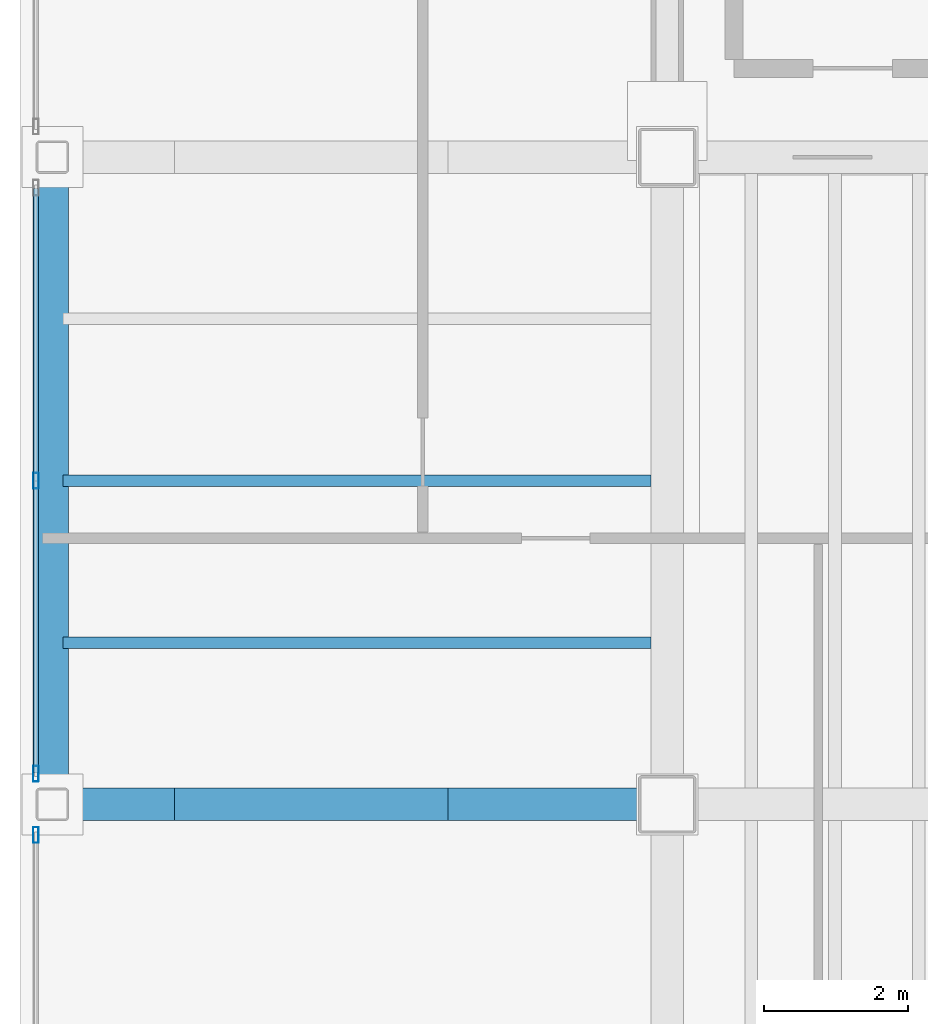
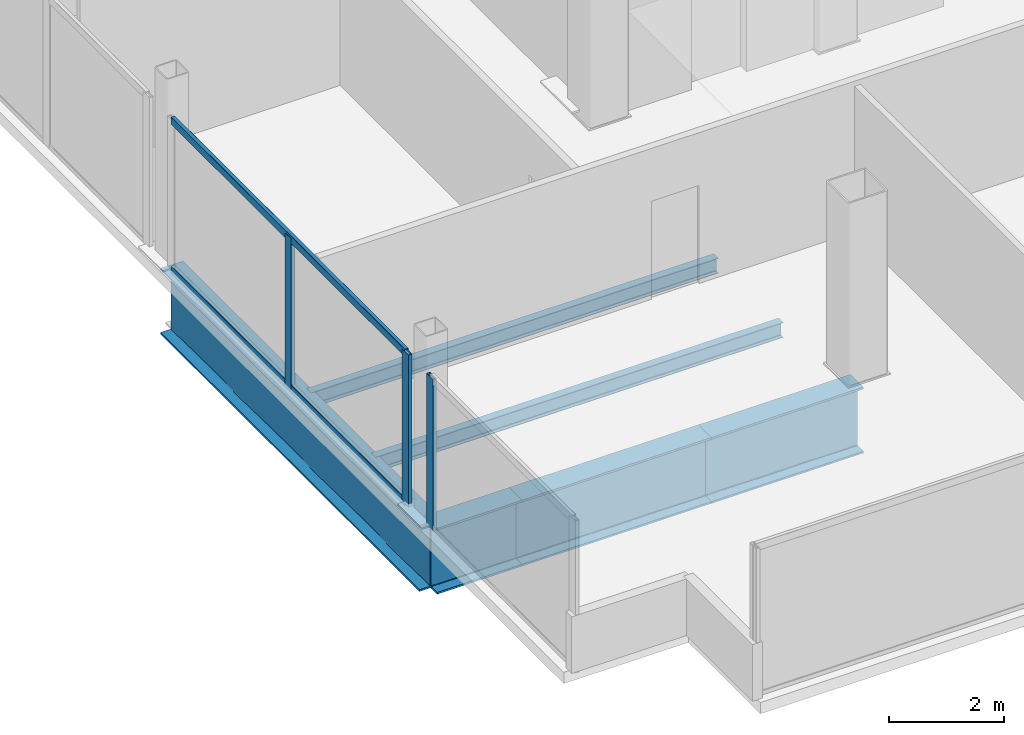
# One storey, part 4 of 22: 6 beams, 5 members, 2 elements without a shape of their own.
"""IFC4 building model written with IfcOpenShell, lengths in metres."""

import ifcopenshell
import ifcopenshell.guid

model = None  # the IFC model being written
_history = None  # IfcOwnerHistory: only IFC2X3 demands one
_inside = {}  # id of a spatial element -> (the spatial element, [elements in it])
_under = {}  # id of a project, library or spatial element -> (it, [spatial elements below it])
_declared = {}  # id of a project -> (the project, [libraries it declares])
_typed = {}  # id of a type object -> (the type object, [elements of that type])
_made_of = {}  # id of a material, layer set ... -> (it, [elements and type objects made of it])


def new_model(schema):
    """Start an empty IFC model of exactly this schema.

    Asked for "IFC4X3", IfcOpenShell would pick the latest addendum, in which some entities
    have other attributes; the version numbers below select the first issue.
    IFC2X3 requires an IfcOwnerHistory on every rooted entity: one is made here for all.
    """
    global model, _history
    if schema == "IFC4X3":
        model = ifcopenshell.file(schema_version=(4, 3, 0, 0))
    else:
        model = ifcopenshell.file(schema=schema)
    _inside.clear()
    _under.clear()
    _declared.clear()
    _typed.clear()
    _made_of.clear()
    _history = None
    if model.schema == "IFC2X3":
        org = make("IfcOrganization", Name="unknown")
        user = make(
            "IfcPersonAndOrganization",
            ThePerson=make("IfcPerson", FamilyName="unknown"),
            TheOrganization=org,
        )
        app = make(
            "IfcApplication",
            ApplicationDeveloper=org,
            Version="unknown",
            ApplicationFullName="unknown",
            ApplicationIdentifier="unknown",
        )
        _history = make(
            "IfcOwnerHistory",
            OwningUser=user,
            OwningApplication=app,
            ChangeAction="ADDED",
            CreationDate=0,
        )
    return model


def make(cls, **values):
    """One entity of the class cls with the attributes given. An attribute that is None is left unset."""
    return model.create_entity(
        cls, **{name: value for name, value in values.items() if value is not None}
    )


def rooted(cls, **values):
    """An entity with a GlobalId (a new one), such as an element, a storey or a relation."""
    return make(cls, GlobalId=ifcopenshell.guid.new(), OwnerHistory=_history, **values)


def si_unit(unit_type, name, prefix=None):
    """IfcSIUnit, for example si_unit("LENGTHUNIT", "METRE", prefix="MILLI")."""
    return make("IfcSIUnit", UnitType=unit_type, Prefix=prefix, Name=name)


def assignment(units):
    """IfcUnitAssignment: the units of a project."""
    return None if units is None else make("IfcUnitAssignment", Units=units)


def point(xyz):
    """IfcCartesianPoint."""
    return None if xyz is None else make("IfcCartesianPoint", Coordinates=xyz)


def direction(xyz):
    """IfcDirection."""
    return None if xyz is None else make("IfcDirection", DirectionRatios=xyz)


def frame(location, z_axis=None, x_axis=None):
    """IfcAxis2Placement3D, a coordinate frame: its origin and axes. An axis left out is left unset."""
    return make(
        "IfcAxis2Placement3D",
        Location=point(location),
        Axis=direction(z_axis),
        RefDirection=direction(x_axis),
    )


def frame_2d(location, x_axis=None):
    """IfcAxis2Placement2D, a coordinate frame in the plane: its origin and x axis."""
    return make(
        "IfcAxis2Placement2D", Location=point(location), RefDirection=direction(x_axis)
    )


def origin():
    """The frame at (0, 0, 0) with its axes left unset."""
    return frame((0.0, 0.0, 0.0))


def origin_2d():
    """The frame at (0, 0) in the plane with its x axis left unset."""
    return frame_2d((0.0, 0.0))


def place(relative_to, where):
    """IfcLocalPlacement: puts the frame where relative to a parent placement (None: the world)."""
    return make(
        "IfcLocalPlacement", PlacementRelTo=relative_to, RelativePlacement=where
    )


def context(
    kind, dimensions, precision=None, world=None, true_north=None, identifier=None
):
    """IfcGeometricRepresentationContext, for example the 3D "Model" context."""
    return make(
        "IfcGeometricRepresentationContext",
        ContextIdentifier=identifier,
        ContextType=kind,
        CoordinateSpaceDimension=dimensions,
        Precision=precision,
        WorldCoordinateSystem=world,
        TrueNorth=true_north,
    )


def subcontext(parent, identifier, kind, view, scale=None):
    """IfcGeometricRepresentationSubContext, for example "Body" below "Model"."""
    return make(
        "IfcGeometricRepresentationSubContext",
        ContextIdentifier=identifier,
        ContextType=kind,
        ParentContext=parent,
        TargetScale=scale,
        TargetView=view,
    )


def project(units=None, contexts=None):
    """IfcProject with its units and contexts."""
    return rooted(
        "IfcProject",
        Name="project",
        RepresentationContexts=contexts,
        UnitsInContext=assignment(units),
    )


def spatial(cls, under=None, at=None, **own):
    """A site, building, storey or space (cls), placed at a placement, below another one or the project."""
    s = rooted(cls, ObjectPlacement=at, **own)
    if under is not None:
        _under.setdefault(under.id(), (under, []))[1].append(s)
    return s


def profile(cls, at=None, kind="AREA", **sizes):
    """A parametric profile (cls). Its sizes go by their IFC names, for example OverallWidth=200.0."""
    return make(cls, ProfileType=kind, Position=at, **sizes)


def hollow_rectangle(**sizes):
    """IfcRectangleHollowProfileDef."""
    return profile("IfcRectangleHollowProfileDef", **sizes)


def i_section(**sizes):
    """IfcIShapeProfileDef."""
    return profile("IfcIShapeProfileDef", **sizes)


def extrude(swept, where, along, depth):
    """IfcExtrudedAreaSolid: the profile swept, set in the frame where, extruded along a direction by depth."""
    return make(
        "IfcExtrudedAreaSolid",
        SweptArea=swept,
        Position=where,
        ExtrudedDirection=direction(along),
        Depth=depth,
    )


def shape(context_of_items, identifier, shape_type, items):
    """IfcShapeRepresentation: the items that make up one representation, for example the "Body"."""
    return make(
        "IfcShapeRepresentation",
        ContextOfItems=context_of_items,
        RepresentationIdentifier=identifier,
        RepresentationType=shape_type,
        Items=items,
    )


def material(Name=None, Category=None):
    """IfcMaterial."""
    return make("IfcMaterial", Name=Name, Category=Category)


def material_profile(
    of_material, cross_section, Name=None, Category=None, Priority=None
):
    """IfcMaterialProfile: a cross section and its material."""
    return make(
        "IfcMaterialProfile",
        Name=Name,
        Material=of_material,
        Profile=cross_section,
        Priority=Priority,
        Category=Category,
    )


def profile_set(profiles, Name=None, composite=None):
    """IfcMaterialProfileSet."""
    return make(
        "IfcMaterialProfileSet",
        Name=Name,
        MaterialProfiles=profiles,
        CompositeProfile=composite,
    )


def made_of(thing, what):
    """Note that an element or type object is made of a material, layer set ...; save() writes the relation."""
    if what is not None:
        _made_of.setdefault(what.id(), (what, []))[1].append(thing)
    return thing


def type_object(cls, material=None, **own):
    """A type object (cls), such as IfcWallType, which elements share."""
    return made_of(rooted(cls, **own), material)


def element(
    cls,
    number,
    at=None,
    inside=None,
    cuts=None,
    type_object=None,
    material=None,
    context=None,
    identifier="Body",
    shape_type=None,
    held_by="IfcProductDefinitionShape",
    body=None,
    shapes=None,
    **own,
):
    """One element of the class cls, such as IfcWall. Its Tag is "e" and its number.

    at: its placement. inside: the storey or other place that contains it. cuts: it is an
    opening in that element (IfcRelVoidsElement). A single representation is given by context,
    identifier, shape_type and body (its items); several are given by shapes. held_by: the class
    of the entity that holds the representations. save() writes the other relations.
    """
    e = rooted(cls, Tag="e%d" % number, ObjectPlacement=at, **own)
    if body is not None:
        shapes = [shape(context, identifier, shape_type, body)]
    if shapes is not None:
        e.Representation = make(held_by, Representations=shapes)
    if inside is not None:
        _inside.setdefault(inside.id(), (inside, []))[1].append(e)
    if cuts is not None:
        rooted(
            "IfcRelVoidsElement", RelatingBuildingElement=cuts, RelatedOpeningElement=e
        )
    if type_object is not None:
        _typed.setdefault(type_object.id(), (type_object, []))[1].append(e)
    return made_of(e, material)


def aggregate(whole, parts):
    """IfcRelAggregates: a whole, such as a stair, and the parts it consists of."""
    return rooted("IfcRelAggregates", RelatingObject=whole, RelatedObjects=parts)


def save(model, path):
    """Write the relations noted so far, then the file.

    IfcRelAggregates (storeys below a building ...), IfcRelContainedInSpatialStructure (elements
    in a storey), IfcRelDefinesByType, IfcRelAssociatesMaterial and IfcRelDeclares: one each for
    every whole, place, type object, material and project.
    """
    for whole, parts in _under.values():
        aggregate(whole, parts)
    for where, things in _inside.values():
        rooted(
            "IfcRelContainedInSpatialStructure",
            RelatedElements=things,
            RelatingStructure=where,
        )
    for kind, things in _typed.values():
        rooted("IfcRelDefinesByType", RelatedObjects=things, RelatingType=kind)
    for what, things in _made_of.values():
        rooted("IfcRelAssociatesMaterial", RelatedObjects=things, RelatingMaterial=what)
    for by, libraries in _declared.values():
        rooted("IfcRelDeclares", RelatingContext=by, RelatedDefinitions=libraries)
    model.write(path)


model = new_model("IFC4")

# Units and contexts
model_context = context("Model", 3, precision=1e-05, world=origin(), true_north=direction((0.0, 1.0)))
body_context = subcontext(model_context, "Body", "Model", "MODEL_VIEW")
ifc_project = project(units=[si_unit("LENGTHUNIT", "METRE"), si_unit("AREAUNIT", "SQUARE_METRE"), si_unit("VOLUMEUNIT", "CUBIC_METRE"), si_unit("PLANEANGLEUNIT", "RADIAN"), si_unit("MASSUNIT", "GRAM", prefix="KILO")], contexts=[model_context])

# Site, building, storey
site_placement = place(None, origin())
site = spatial("IfcSite", under=ifc_project, at=site_placement, CompositionType="ELEMENT")
building_placement = place(site_placement, origin())
building = spatial("IfcBuilding", under=site, at=building_placement, Name="Noeulbin Bourse Tower", CompositionType="ELEMENT")
storey_placement = place(building_placement, frame((0.0, 0.0, 230.60009765625)))
storey = spatial("IfcBuildingStorey", under=building, at=storey_placement, Name="L57", CompositionType="ELEMENT", Elevation=230.60009765625)

# Beams
ifc_material_1 = material(Name="Steel S355", Category="steel")
ifc_material_profile_1 = material_profile(ifc_material_1, i_section(OverallWidth=0.159912109375, OverallDepth=0.320068359375, WebThickness=0.006591796875, FlangeThickness=0.010009765625, FilletRadius=0.012939453125, at=origin_2d()), Name="H-320x160x6.5x10", Category="LoadBearing")
ifc_profile_set_1 = profile_set([ifc_material_profile_1], Name="Steel S355")
beam_type_1 = type_object("IfcBeamType", Name="BM-JST-320", PredefinedType="JOIST", material=ifc_profile_set_1)
for number, where, z_axis, x_axis, name in (
    (1, (5.10009765625, 22.25, -0.400146484375), (1.0, 0.0, 0.0), (0.0, 1.0, 0.0), "Wing Composite Joist L57-W37"),
    (2, (5.10009765625, 24.5, -0.400146484375), (1.0, 0.0, 0.0), (0.0, 1.0, 0.0), "Wing Composite Joist L57-W38"),
):
    element("IfcBeam", number, at=place(storey_placement, frame(where, z_axis=z_axis, x_axis=x_axis)), inside=storey, type_object=beam_type_1, Name=name, PredefinedType="JOIST", context=body_context, shape_type="SweptSolid", body=[
        extrude(i_section(OverallWidth=0.159912109375, OverallDepth=0.320068359375, WebThickness=0.006591796875, FlangeThickness=0.010009765625, FilletRadius=0.012939453125, at=origin_2d()), origin(), (0.0, 0.0, 1.0), 8.1748046875),
    ])
ifc_material_2 = material(Name="Steel S460", Category="steel")
ifc_material_profile_2 = material_profile(ifc_material_2, i_section(OverallWidth=0.449951171875, OverallDepth=1.39990234375, WebThickness=0.02392578125, FlangeThickness=0.0400390625, FilletRadius=0.02392578125, at=origin_2d()), Name="PG-1400x450x24x40", Category="LoadBearing")
ifc_profile_set_2 = profile_set([ifc_material_profile_2], Name="Steel S460")
beam_type_2 = type_object("IfcBeamType", Name="BM-TRF-1400", PredefinedType="USERDEFINED", material=ifc_profile_set_2)
beam_1_placement = place(storey_placement, frame((4.949951171875, 20.0, -0.940185546875), z_axis=(1.0, 0.0, 0.0), x_axis=(0.0, 1.0, 0.0)))
element("IfcBeam", 3, at=beam_1_placement, inside=storey, type_object=beam_type_2, Name="Tower Primary Girder EW L57-1.1", ObjectType="GIRDER", PredefinedType="USERDEFINED", context=body_context, shape_type="SweptSolid", body=[
    extrude(i_section(OverallWidth=0.449951171875, OverallDepth=1.39990234375, WebThickness=0.02392578125, FlangeThickness=0.0400390625, FilletRadius=0.02392578125, at=origin_2d()), origin(), (0.0, 0.0, 1.0), 1.699951171875),
])
beam_2_placement = place(storey_placement, frame((6.64990234375, 20.0, -0.940185546875), z_axis=(1.0, 0.0, 0.0), x_axis=(0.0, 1.0, 0.0)))
element("IfcBeam", 4, at=beam_2_placement, inside=storey, type_object=beam_type_2, Name="Tower Primary Girder EW L57-1.2", ObjectType="GIRDER", PredefinedType="USERDEFINED", context=body_context, shape_type="SweptSolid", body=[
    extrude(i_section(OverallWidth=0.449951171875, OverallDepth=1.39990234375, WebThickness=0.02392578125, FlangeThickness=0.0400390625, FilletRadius=0.02392578125, at=origin_2d()), origin(), (0.0, 0.0, 1.0), 3.800048828125),
])
beam_3_placement = place(storey_placement, frame((10.449951171875, 20.0, -0.940185546875), z_axis=(1.0, 0.0, 0.0), x_axis=(0.0, 1.0, 0.0)))
element("IfcBeam", 5, at=beam_3_placement, inside=storey, type_object=beam_type_2, Name="Tower Primary Girder EW L57-1.3", ObjectType="GIRDER", PredefinedType="USERDEFINED", context=body_context, shape_type="SweptSolid", body=[
    extrude(i_section(OverallWidth=0.449951171875, OverallDepth=1.39990234375, WebThickness=0.02392578125, FlangeThickness=0.0400390625, FilletRadius=0.02392578125, at=origin_2d()), origin(), (0.0, 0.0, 1.0), 3.050048828125),
])
beam_4_placement = place(storey_placement, frame((4.949951171875, 20.0, -0.940185546875), z_axis=(0.0, 1.0, 0.0), x_axis=(-1.0, 0.0, 0.0)))
element("IfcBeam", 6, at=beam_4_placement, inside=storey, type_object=beam_type_2, Name="West Spandrel L57-1", ObjectType="GIRDER", PredefinedType="USERDEFINED", context=body_context, shape_type="SweptSolid", body=[
    extrude(i_section(OverallWidth=0.449951171875, OverallDepth=1.39990234375, WebThickness=0.02392578125, FlangeThickness=0.0400390625, FilletRadius=0.02392578125, at=origin_2d()), origin(), (0.0, 0.0, 1.0), 9.0),
])

# Curtain wall, member
ifc_material_3 = material(Name="High-Selectivity Low-Iron Glazing", Category="glass")
curtain_wall_type = type_object("IfcCurtainWallType", Name="CW-SYS-4", PredefinedType="NOTDEFINED", material=ifc_material_3)
curtain_wall_1_placement = place(storey_placement, origin())
curtain_wall_1 = element("IfcCurtainWall", 7, at=curtain_wall_1_placement, inside=storey, type_object=curtain_wall_type, Name="Unitised Curtain Wall CW-L57-W-S1", PredefinedType="NOTDEFINED")
ifc_material_4 = material(Name="Anodised Aluminium 6063-T6", Category="aluminium")
ifc_material_profile_3 = material_profile(ifc_material_4, hollow_rectangle(XDim=0.074951171875, YDim=0.219970703125, WallThickness=0.0048828125, InnerFilletRadius=0.00244140625, OuterFilletRadius=0.0048828125, at=origin_2d()), Name="ALU-MULL-75x220x5", Category="LoadBearing")
ifc_profile_set_3 = profile_set([ifc_material_profile_3], Name="Anodised Aluminium 6063-T6")
member_type_1 = type_object("IfcMemberType", Name="CW-SYS-4-MUL", PredefinedType="MULLION", material=ifc_profile_set_3)
member_1_placement = place(storey_placement, frame((4.719970703125, 19.574951171875, -0.02001953125), z_axis=(0.0, 0.0, 1.0), x_axis=(1.0, 0.0, 0.0)))
member_1 = element("IfcMember", 8, at=member_1_placement, type_object=member_type_1, Name="Curtain Wall Mullion CW-L57-W-S1-M01", PredefinedType="MULLION", context=body_context, shape_type="SweptSolid", body=[
    extrude(hollow_rectangle(XDim=0.074951171875, YDim=0.219970703125, WallThickness=0.0048828125, InnerFilletRadius=0.00244140625, OuterFilletRadius=0.0048828125, at=origin_2d()), origin(), (0.0, 0.0, 1.0), 3.219970703125),
])
aggregate(curtain_wall_1, [member_1])

# Curtain wall, members
curtain_wall_2_placement = place(storey_placement, origin())
curtain_wall_2 = element("IfcCurtainWall", 9, at=curtain_wall_2_placement, inside=storey, type_object=curtain_wall_type, Name="Unitised Curtain Wall CW-L57-W-S2", PredefinedType="NOTDEFINED")
member_2_placement = place(storey_placement, frame((4.719970703125, 20.425048828125, -0.02001953125), z_axis=(0.0, 0.0, 1.0), x_axis=(1.0, 0.0, 0.0)))
member_2 = element("IfcMember", 10, at=member_2_placement, type_object=member_type_1, Name="Curtain Wall Mullion CW-L57-W-S2-M00", PredefinedType="MULLION", context=body_context, shape_type="SweptSolid", body=[
    extrude(hollow_rectangle(XDim=0.074951171875, YDim=0.219970703125, WallThickness=0.0048828125, InnerFilletRadius=0.00244140625, OuterFilletRadius=0.0048828125, at=origin_2d()), origin(), (0.0, 0.0, 1.0), 3.219970703125),
])
member_3_placement = place(storey_placement, frame((4.719970703125, 24.5, -0.02001953125), z_axis=(0.0, 0.0, 1.0), x_axis=(1.0, 0.0, 0.0)))
member_3 = element("IfcMember", 11, at=member_3_placement, type_object=member_type_1, Name="Curtain Wall Mullion CW-L57-W-S2-M01", PredefinedType="MULLION", context=body_context, shape_type="SweptSolid", body=[
    extrude(hollow_rectangle(XDim=0.074951171875, YDim=0.219970703125, WallThickness=0.0048828125, InnerFilletRadius=0.00244140625, OuterFilletRadius=0.0048828125, at=origin_2d()), origin(), (0.0, 0.0, 1.0), 3.219970703125),
])
ifc_material_profile_4 = material_profile(ifc_material_4, hollow_rectangle(XDim=0.074951171875, YDim=0.159912109375, WallThickness=0.0048828125, InnerFilletRadius=0.00244140625, OuterFilletRadius=0.0048828125, at=origin_2d()), Name="ALU-TRAN-75x160x5", Category="LoadBearing")
ifc_profile_set_4 = profile_set([ifc_material_profile_4], Name="Anodised Aluminium 6063-T6")
member_type_2 = type_object("IfcMemberType", Name="CW-SYS-4-TRN", PredefinedType="USERDEFINED", material=ifc_profile_set_4)
member_4_placement = place(storey_placement, frame((4.719970703125, 20.43505859375, 0.010009765625), z_axis=(0.0, 1.0, 0.0), x_axis=(-1.0, 0.0, 0.0)))
member_4 = element("IfcMember", 12, at=member_4_placement, type_object=member_type_2, Name="Curtain Wall Transom CW-L57-W-S2-T00", ObjectType="TRANSOM", PredefinedType="USERDEFINED", context=body_context, shape_type="SweptSolid", body=[
    extrude(hollow_rectangle(XDim=0.074951171875, YDim=0.159912109375, WallThickness=0.0048828125, InnerFilletRadius=0.00244140625, OuterFilletRadius=0.0048828125, at=origin_2d()), origin(), (0.0, 0.0, 1.0), 8.1298828125),
])
member_5_placement = place(storey_placement, frame((4.719970703125, 20.43505859375, 3.169921875), z_axis=(0.0, 1.0, 0.0), x_axis=(-1.0, 0.0, 0.0)))
member_5 = element("IfcMember", 13, at=member_5_placement, type_object=member_type_2, Name="Curtain Wall Transom CW-L57-W-S2-T01", ObjectType="TRANSOM", PredefinedType="USERDEFINED", context=body_context, shape_type="SweptSolid", body=[
    extrude(hollow_rectangle(XDim=0.074951171875, YDim=0.159912109375, WallThickness=0.0048828125, InnerFilletRadius=0.00244140625, OuterFilletRadius=0.0048828125, at=origin_2d()), origin(), (0.0, 0.0, 1.0), 8.1298828125),
])
aggregate(curtain_wall_2, [member_2, member_3, member_4, member_5])

save(model, "model.ifc")
